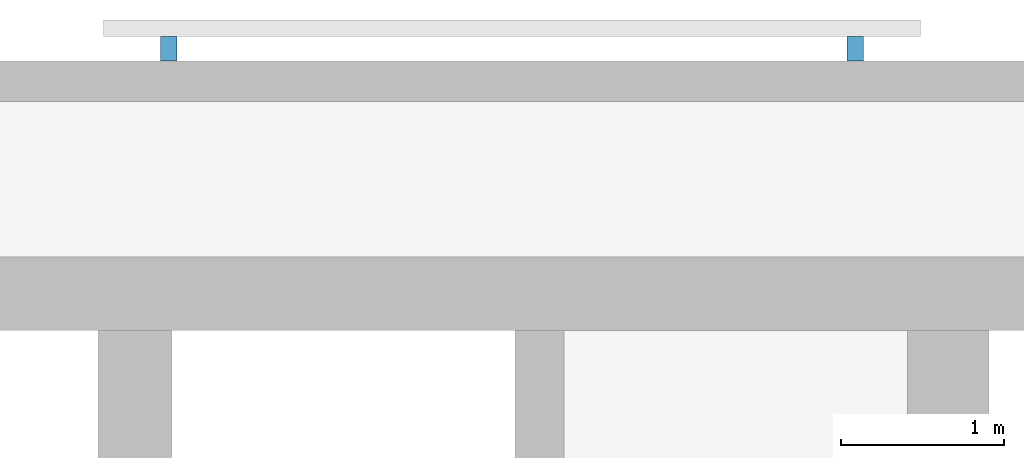
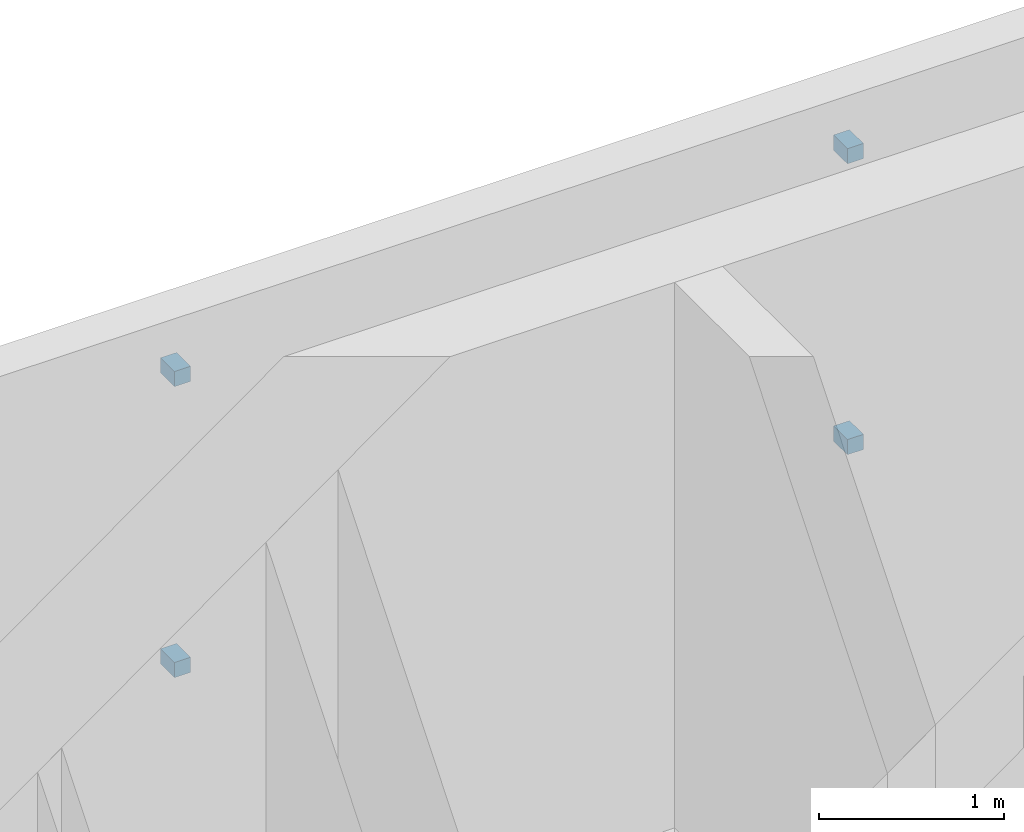
# One storey, part 12 of 15: 4 discrete accessories.
"""IFC4 building model written with IfcOpenShell, lengths in metres."""

from ifc_helpers import new_model, si_unit, direction, frame, origin, origin_2d, place, context, subcontext, project, spatial, rectangle, extrude, material, type_object, element, save


model = new_model("IFC4")

# Units and contexts
model_context = context("Model", 3, precision=1e-05, world=origin(), true_north=direction((0.0, 1.0)))
body_context = subcontext(model_context, "Body", "Model", "MODEL_VIEW")
ifc_project = project(units=[si_unit("LENGTHUNIT", "METRE"), si_unit("AREAUNIT", "SQUARE_METRE"), si_unit("VOLUMEUNIT", "CUBIC_METRE"), si_unit("PLANEANGLEUNIT", "RADIAN"), si_unit("MASSUNIT", "GRAM", prefix="KILO")], contexts=[model_context])

# Site, building, storey
site_placement = place(None, origin())
site = spatial("IfcSite", under=ifc_project, at=site_placement, CompositionType="ELEMENT")
building_placement = place(site_placement, origin())
building = spatial("IfcBuilding", under=site, at=building_placement, Name="Torana Hotel and Residences", CompositionType="ELEMENT")
storey_placement = place(building_placement, frame((0.0, 0.0, 24.0)))
storey = spatial("IfcBuildingStorey", under=building, at=storey_placement, Name="L04", CompositionType="ELEMENT", Elevation=24.0)

# Discrete accessories
ifc_material = material(Name="Steel S355", Category="steel")
discrete_accessory_type = type_object("IfcDiscreteAccessoryType", Name="SCREEN BRACKET 100", PredefinedType="BRACKET", material=ifc_material)
for number, where, z_axis, x_axis, name in (
    (1, (23.681396484375, 1.27490234375, 0.75), (0.0, 0.0, 1.0), (-1.0, 0.0, 0.0), "Screen bracket L04"),
    (2, (23.681396484375, 1.27490234375, 2.669921875), (0.0, 0.0, 1.0), (-1.0, 0.0, 0.0), "Screen bracket L04"),
    (3, (19.4814453125, 1.27490234375, 0.75), (0.0, 0.0, 1.0), (-1.0, 0.0, 0.0), "Screen bracket L04"),
    (4, (19.4814453125, 1.27490234375, 2.669921875), (0.0, 0.0, 1.0), (-1.0, 0.0, 0.0), "Screen bracket L04"),
):
    element("IfcDiscreteAccessory", number, at=place(storey_placement, frame(where, z_axis=z_axis, x_axis=x_axis)), inside=storey, type_object=discrete_accessory_type, Name=name, PredefinedType="BRACKET", context=body_context, shape_type="SweptSolid", body=[
        extrude(rectangle(XDim=0.10009765625, YDim=0.14990234375, at=origin_2d()), origin(), (0.0, 0.0, 1.0), 0.10009765625),
    ])

save(model, "model.ifc")
